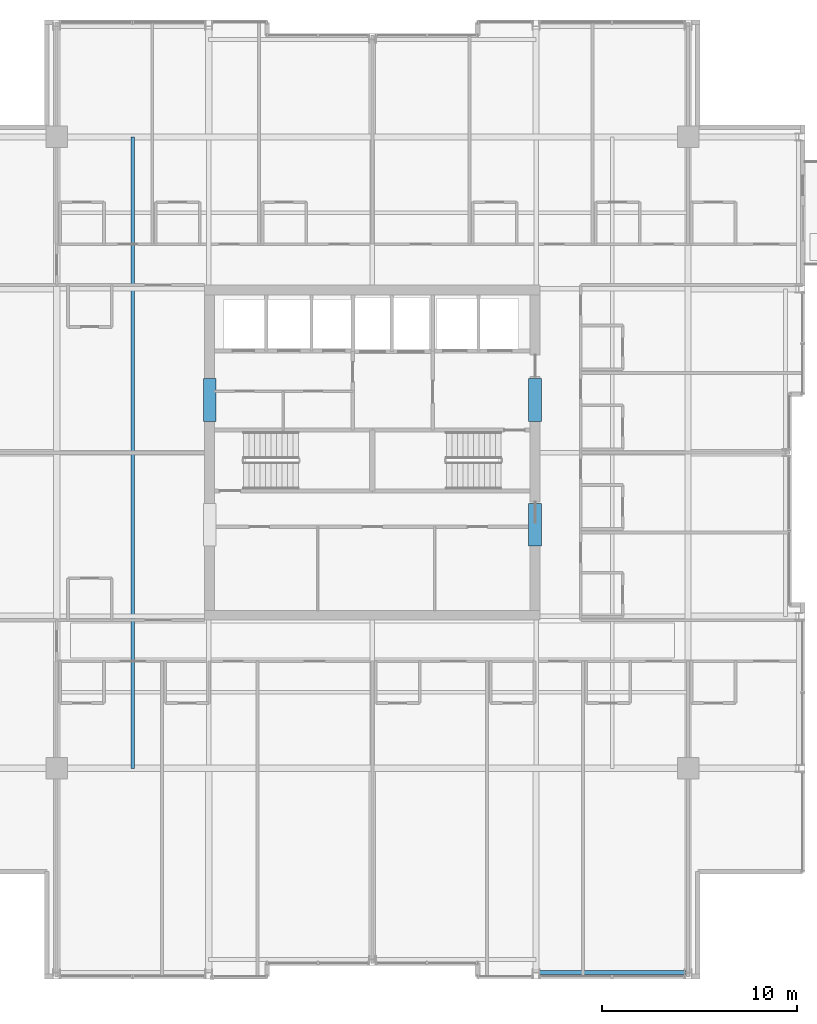
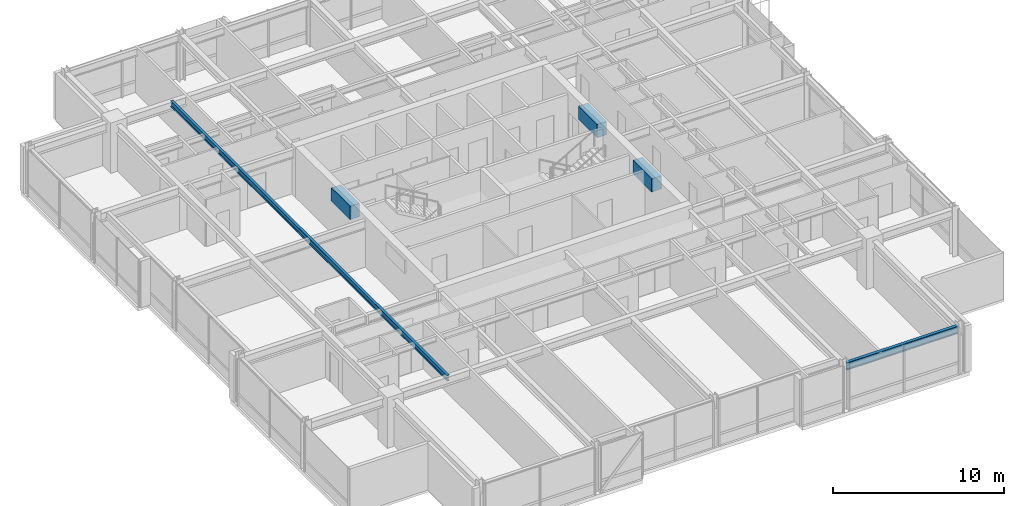
# One storey, part 12 of 34: 5 beams.
"""IFC4 building model written with IfcOpenShell, lengths in metres."""

import ifcopenshell
import ifcopenshell.guid

model = None  # the IFC model being written
_history = None  # IfcOwnerHistory: only IFC2X3 demands one
_inside = {}  # id of a spatial element -> (the spatial element, [elements in it])
_under = {}  # id of a project, library or spatial element -> (it, [spatial elements below it])
_declared = {}  # id of a project -> (the project, [libraries it declares])
_typed = {}  # id of a type object -> (the type object, [elements of that type])
_made_of = {}  # id of a material, layer set ... -> (it, [elements and type objects made of it])


def new_model(schema):
    """Start an empty IFC model of exactly this schema.

    Asked for "IFC4X3", IfcOpenShell would pick the latest addendum, in which some entities
    have other attributes; the version numbers below select the first issue.
    IFC2X3 requires an IfcOwnerHistory on every rooted entity: one is made here for all.
    """
    global model, _history
    if schema == "IFC4X3":
        model = ifcopenshell.file(schema_version=(4, 3, 0, 0))
    else:
        model = ifcopenshell.file(schema=schema)
    _inside.clear()
    _under.clear()
    _declared.clear()
    _typed.clear()
    _made_of.clear()
    _history = None
    if model.schema == "IFC2X3":
        org = make("IfcOrganization", Name="unknown")
        user = make(
            "IfcPersonAndOrganization",
            ThePerson=make("IfcPerson", FamilyName="unknown"),
            TheOrganization=org,
        )
        app = make(
            "IfcApplication",
            ApplicationDeveloper=org,
            Version="unknown",
            ApplicationFullName="unknown",
            ApplicationIdentifier="unknown",
        )
        _history = make(
            "IfcOwnerHistory",
            OwningUser=user,
            OwningApplication=app,
            ChangeAction="ADDED",
            CreationDate=0,
        )
    return model


def make(cls, **values):
    """One entity of the class cls with the attributes given. An attribute that is None is left unset."""
    return model.create_entity(
        cls, **{name: value for name, value in values.items() if value is not None}
    )


def rooted(cls, **values):
    """An entity with a GlobalId (a new one), such as an element, a storey or a relation."""
    return make(cls, GlobalId=ifcopenshell.guid.new(), OwnerHistory=_history, **values)


def si_unit(unit_type, name, prefix=None):
    """IfcSIUnit, for example si_unit("LENGTHUNIT", "METRE", prefix="MILLI")."""
    return make("IfcSIUnit", UnitType=unit_type, Prefix=prefix, Name=name)


def assignment(units):
    """IfcUnitAssignment: the units of a project."""
    return None if units is None else make("IfcUnitAssignment", Units=units)


def point(xyz):
    """IfcCartesianPoint."""
    return None if xyz is None else make("IfcCartesianPoint", Coordinates=xyz)


def direction(xyz):
    """IfcDirection."""
    return None if xyz is None else make("IfcDirection", DirectionRatios=xyz)


def frame(location, z_axis=None, x_axis=None):
    """IfcAxis2Placement3D, a coordinate frame: its origin and axes. An axis left out is left unset."""
    return make(
        "IfcAxis2Placement3D",
        Location=point(location),
        Axis=direction(z_axis),
        RefDirection=direction(x_axis),
    )


def frame_2d(location, x_axis=None):
    """IfcAxis2Placement2D, a coordinate frame in the plane: its origin and x axis."""
    return make(
        "IfcAxis2Placement2D", Location=point(location), RefDirection=direction(x_axis)
    )


def origin():
    """The frame at (0, 0, 0) with its axes left unset."""
    return frame((0.0, 0.0, 0.0))


def origin_2d():
    """The frame at (0, 0) in the plane with its x axis left unset."""
    return frame_2d((0.0, 0.0))


def place(relative_to, where):
    """IfcLocalPlacement: puts the frame where relative to a parent placement (None: the world)."""
    return make(
        "IfcLocalPlacement", PlacementRelTo=relative_to, RelativePlacement=where
    )


def context(
    kind, dimensions, precision=None, world=None, true_north=None, identifier=None
):
    """IfcGeometricRepresentationContext, for example the 3D "Model" context."""
    return make(
        "IfcGeometricRepresentationContext",
        ContextIdentifier=identifier,
        ContextType=kind,
        CoordinateSpaceDimension=dimensions,
        Precision=precision,
        WorldCoordinateSystem=world,
        TrueNorth=true_north,
    )


def subcontext(parent, identifier, kind, view, scale=None):
    """IfcGeometricRepresentationSubContext, for example "Body" below "Model"."""
    return make(
        "IfcGeometricRepresentationSubContext",
        ContextIdentifier=identifier,
        ContextType=kind,
        ParentContext=parent,
        TargetScale=scale,
        TargetView=view,
    )


def project(units=None, contexts=None):
    """IfcProject with its units and contexts."""
    return rooted(
        "IfcProject",
        Name="project",
        RepresentationContexts=contexts,
        UnitsInContext=assignment(units),
    )


def spatial(cls, under=None, at=None, **own):
    """A site, building, storey or space (cls), placed at a placement, below another one or the project."""
    s = rooted(cls, ObjectPlacement=at, **own)
    if under is not None:
        _under.setdefault(under.id(), (under, []))[1].append(s)
    return s


def profile(cls, at=None, kind="AREA", **sizes):
    """A parametric profile (cls). Its sizes go by their IFC names, for example OverallWidth=200.0."""
    return make(cls, ProfileType=kind, Position=at, **sizes)


def rectangle(**sizes):
    """IfcRectangleProfileDef."""
    return profile("IfcRectangleProfileDef", **sizes)


def i_section(**sizes):
    """IfcIShapeProfileDef."""
    return profile("IfcIShapeProfileDef", **sizes)


def extrude(swept, where, along, depth):
    """IfcExtrudedAreaSolid: the profile swept, set in the frame where, extruded along a direction by depth."""
    return make(
        "IfcExtrudedAreaSolid",
        SweptArea=swept,
        Position=where,
        ExtrudedDirection=direction(along),
        Depth=depth,
    )


def shape(context_of_items, identifier, shape_type, items):
    """IfcShapeRepresentation: the items that make up one representation, for example the "Body"."""
    return make(
        "IfcShapeRepresentation",
        ContextOfItems=context_of_items,
        RepresentationIdentifier=identifier,
        RepresentationType=shape_type,
        Items=items,
    )


def material(Name=None, Category=None):
    """IfcMaterial."""
    return make("IfcMaterial", Name=Name, Category=Category)


def material_profile(
    of_material, cross_section, Name=None, Category=None, Priority=None
):
    """IfcMaterialProfile: a cross section and its material."""
    return make(
        "IfcMaterialProfile",
        Name=Name,
        Material=of_material,
        Profile=cross_section,
        Priority=Priority,
        Category=Category,
    )


def profile_set(profiles, Name=None, composite=None):
    """IfcMaterialProfileSet."""
    return make(
        "IfcMaterialProfileSet",
        Name=Name,
        MaterialProfiles=profiles,
        CompositeProfile=composite,
    )


def made_of(thing, what):
    """Note that an element or type object is made of a material, layer set ...; save() writes the relation."""
    if what is not None:
        _made_of.setdefault(what.id(), (what, []))[1].append(thing)
    return thing


def type_object(cls, material=None, **own):
    """A type object (cls), such as IfcWallType, which elements share."""
    return made_of(rooted(cls, **own), material)


def element(
    cls,
    number,
    at=None,
    inside=None,
    cuts=None,
    type_object=None,
    material=None,
    context=None,
    identifier="Body",
    shape_type=None,
    held_by="IfcProductDefinitionShape",
    body=None,
    shapes=None,
    **own,
):
    """One element of the class cls, such as IfcWall. Its Tag is "e" and its number.

    at: its placement. inside: the storey or other place that contains it. cuts: it is an
    opening in that element (IfcRelVoidsElement). A single representation is given by context,
    identifier, shape_type and body (its items); several are given by shapes. held_by: the class
    of the entity that holds the representations. save() writes the other relations.
    """
    e = rooted(cls, Tag="e%d" % number, ObjectPlacement=at, **own)
    if body is not None:
        shapes = [shape(context, identifier, shape_type, body)]
    if shapes is not None:
        e.Representation = make(held_by, Representations=shapes)
    if inside is not None:
        _inside.setdefault(inside.id(), (inside, []))[1].append(e)
    if cuts is not None:
        rooted(
            "IfcRelVoidsElement", RelatingBuildingElement=cuts, RelatedOpeningElement=e
        )
    if type_object is not None:
        _typed.setdefault(type_object.id(), (type_object, []))[1].append(e)
    return made_of(e, material)


def aggregate(whole, parts):
    """IfcRelAggregates: a whole, such as a stair, and the parts it consists of."""
    return rooted("IfcRelAggregates", RelatingObject=whole, RelatedObjects=parts)


def save(model, path):
    """Write the relations noted so far, then the file.

    IfcRelAggregates (storeys below a building ...), IfcRelContainedInSpatialStructure (elements
    in a storey), IfcRelDefinesByType, IfcRelAssociatesMaterial and IfcRelDeclares: one each for
    every whole, place, type object, material and project.
    """
    for whole, parts in _under.values():
        aggregate(whole, parts)
    for where, things in _inside.values():
        rooted(
            "IfcRelContainedInSpatialStructure",
            RelatedElements=things,
            RelatingStructure=where,
        )
    for kind, things in _typed.values():
        rooted("IfcRelDefinesByType", RelatedObjects=things, RelatingType=kind)
    for what, things in _made_of.values():
        rooted("IfcRelAssociatesMaterial", RelatedObjects=things, RelatingMaterial=what)
    for by, libraries in _declared.values():
        rooted("IfcRelDeclares", RelatingContext=by, RelatedDefinitions=libraries)
    model.write(path)


model = new_model("IFC4")

# Units and contexts
model_context = context("Model", 3, precision=1e-05, world=origin(), true_north=direction((0.0, 1.0)))
body_context = subcontext(model_context, "Body", "Model", "MODEL_VIEW")
ifc_project = project(units=[si_unit("LENGTHUNIT", "METRE"), si_unit("AREAUNIT", "SQUARE_METRE"), si_unit("VOLUMEUNIT", "CUBIC_METRE"), si_unit("PLANEANGLEUNIT", "RADIAN"), si_unit("MASSUNIT", "GRAM", prefix="KILO")], contexts=[model_context])

# Site, building, storey
site_placement = place(None, origin())
site = spatial("IfcSite", under=ifc_project, at=site_placement, CompositionType="ELEMENT")
building_placement = place(site_placement, origin())
building = spatial("IfcBuilding", under=site, at=building_placement, Name="Drelvath Grand Hotel", CompositionType="ELEMENT")
storey_placement = place(building_placement, frame((0.0, 0.0, 208.699951171875)))
storey = spatial("IfcBuildingStorey", under=building, at=storey_placement, Name="L54", CompositionType="ELEMENT", Elevation=208.699951171875)

# Beams
ifc_material_1 = material(Name="Steel ASTM A992 Gr 50", Category="steel")
ifc_material_profile_1 = material_profile(ifc_material_1, i_section(OverallWidth=0.177734375, OverallDepth=0.40673828125, WebThickness=0.0078125, FlangeThickness=0.0126953125, FilletRadius=0.014892578125, at=origin_2d()), Name="W16X40")
ifc_profile_set_1 = profile_set([ifc_material_profile_1], Name="Steel ASTM A992 Gr 50")
beam_type_1 = type_object("IfcBeamType", Name="Composite Floor Joist W16X40", PredefinedType="JOIST", material=ifc_profile_set_1)
beam_1_placement = place(storey_placement, frame((-12.300048828125, 10.800048828125, 3.13671875), z_axis=(0.0, 1.0, 0.0), x_axis=(-1.0, 0.0, 0.0)))
element("IfcBeam", 1, at=beam_1_placement, inside=storey, type_object=beam_type_1, Name="L54 Wing Floor Joist J3", PredefinedType="JOIST", context=body_context, shape_type="SweptSolid", body=[
    extrude(i_section(OverallWidth=0.177734375, OverallDepth=0.40673828125, WebThickness=0.0078125, FlangeThickness=0.0126953125, FilletRadius=0.014892578125, at=origin_2d()), origin(), (0.0, 0.0, 1.0), 32.39990234375),
])
ifc_material_2 = material(Name="Concrete f'c 55 MPa", Category="concrete")
ifc_material_profile_2 = material_profile(ifc_material_2, rectangle(XDim=0.64990234375, YDim=0.949951171875, at=origin_2d()), Name="CB650X950")
ifc_profile_set_2 = profile_set([ifc_material_profile_2], Name="Concrete f'c 55 MPa")
beam_type_2 = type_object("IfcBeamType", Name="Core Coupling Lintel CB650X950", PredefinedType="LINTEL", material=ifc_profile_set_2)
for number, where, z_axis, x_axis, name in (
    (2, (-8.35009765625, 28.60009765625, 2.864990234375), (0.0, 1.0, 0.0), (-1.0, 0.0, 0.0), "L54 Core Coupling Lintel WN"),
    (3, (8.35009765625, 22.199951171875, 2.864990234375), (0.0, 1.0, 0.0), (-1.0, 0.0, 0.0), "L54 Core Coupling Lintel ES"),
    (4, (8.35009765625, 28.60009765625, 2.864990234375), (0.0, 1.0, 0.0), (-1.0, 0.0, 0.0), "L54 Core Coupling Lintel EN"),
):
    element("IfcBeam", number, at=place(storey_placement, frame(where, z_axis=z_axis, x_axis=x_axis)), inside=storey, type_object=beam_type_2, Name=name, PredefinedType="LINTEL", context=body_context, shape_type="SweptSolid", body=[
        extrude(rectangle(XDim=0.64990234375, YDim=0.949951171875, at=origin_2d()), origin(), (0.0, 0.0, 1.0), 2.199951171875),
    ])
ifc_material_profile_3 = material_profile(ifc_material_1, i_section(OverallWidth=0.210205078125, OverallDepth=0.53662109375, WebThickness=0.010986328125, FlangeThickness=0.017333984375, FilletRadius=0.01806640625, at=origin_2d()), Name="W21X68")
ifc_profile_set_3 = profile_set([ifc_material_profile_3], Name="Steel ASTM A992 Gr 50")
beam_type_3 = type_object("IfcBeamType", Name="Perimeter Spandrel Beam W21X68", PredefinedType="SPANDREL", material=ifc_profile_set_3)
beam_2_placement = place(storey_placement, frame((8.5400390625, 0.320068359375, 3.071533203125), z_axis=(1.0, 0.0, 0.0), x_axis=(0.0, 1.0, 0.0)))
element("IfcBeam", 5, at=beam_2_placement, inside=storey, type_object=beam_type_3, Name="L54 Spandrel South E", PredefinedType="SPANDREL", context=body_context, shape_type="SweptSolid", body=[
    extrude(i_section(OverallWidth=0.210205078125, OverallDepth=0.53662109375, WebThickness=0.010986328125, FlangeThickness=0.017333984375, FilletRadius=0.01806640625, at=origin_2d()), origin(), (0.0, 0.0, 1.0), 7.52001953125),
])

save(model, "model.ifc")
